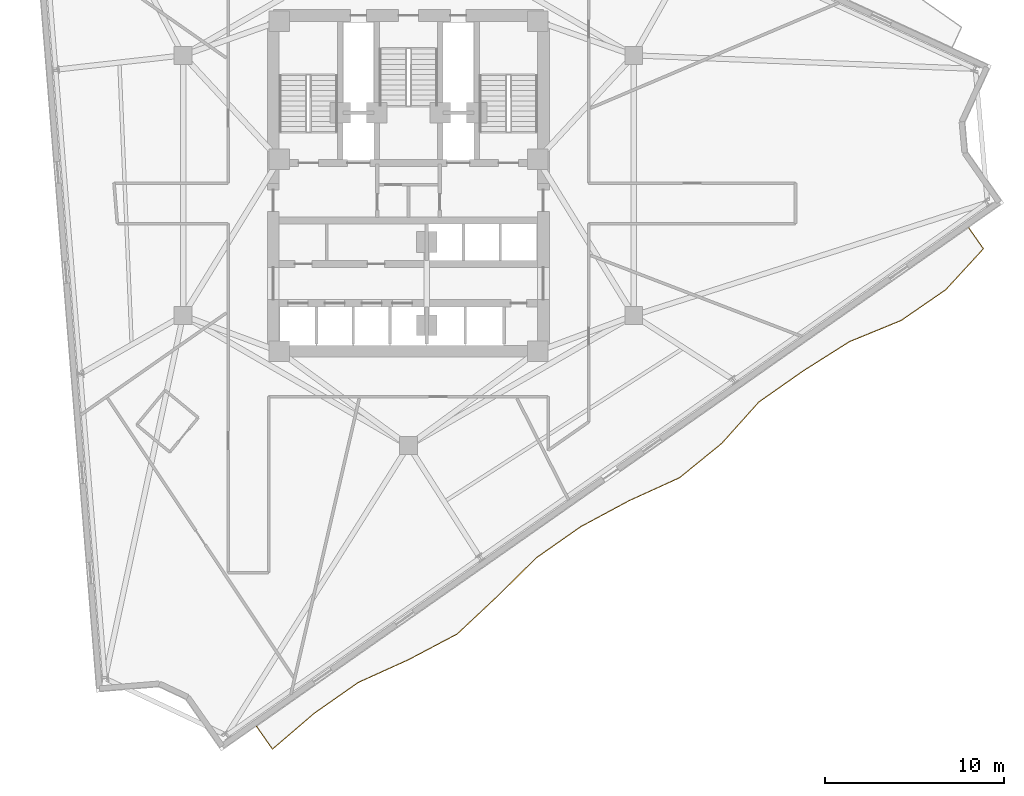
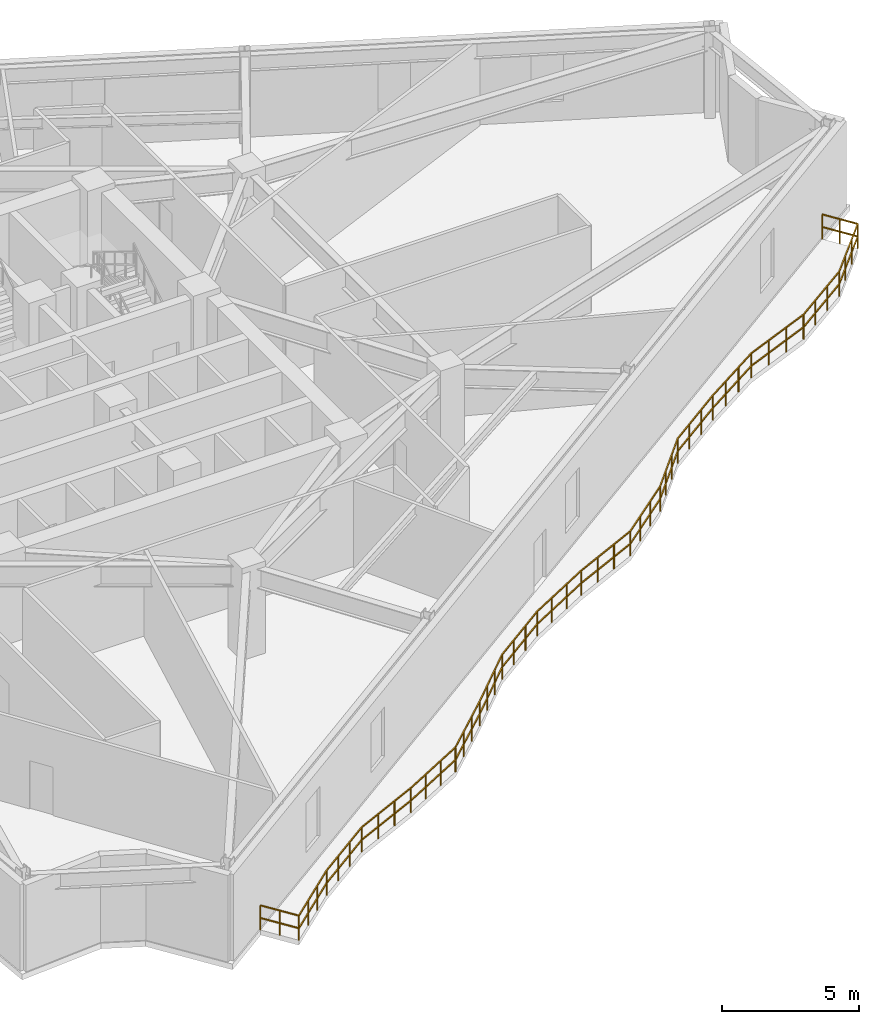
# One storey, part 8 of 10: 1 railing.
"""IFC4 building model written with IfcOpenShell, lengths in metres."""

from ifc_helpers import new_model, si_unit, direction, frame, origin, origin_2d, place, context, subcontext, project, spatial, rectangle, extrude, material, type_object, element, save


model = new_model("IFC4")

# Units and contexts
model_context = context("Model", 3, precision=1e-05, world=origin(), true_north=direction((0.0, 1.0)))
body_context = subcontext(model_context, "Body", "Model", "MODEL_VIEW")
ifc_project = project(units=[si_unit("LENGTHUNIT", "METRE"), si_unit("AREAUNIT", "SQUARE_METRE"), si_unit("VOLUMEUNIT", "CUBIC_METRE"), si_unit("PLANEANGLEUNIT", "RADIAN"), si_unit("MASSUNIT", "GRAM", prefix="KILO")], contexts=[model_context])

# Site, building, storey
site_placement = place(None, origin())
site = spatial("IfcSite", under=ifc_project, at=site_placement, CompositionType="ELEMENT")
building_placement = place(site_placement, origin())
building = spatial("IfcBuilding", under=site, at=building_placement, Name="Apsidion Concourse Tower", CompositionType="ELEMENT")
storey_placement = place(building_placement, frame((0.0, 0.0, 210.60009765625)))
storey = spatial("IfcBuildingStorey", under=building, at=storey_placement, Name="L49", CompositionType="ELEMENT", Elevation=210.60009765625)

# Railing
ifc_material = material(Name="Brushed stainless steel 316", Category="steel")
railing_type = type_object("IfcRailingType", Name="RL-BAL-1120", PredefinedType="BALUSTRADE", material=ifc_material)
railing_placement = place(storey_placement, frame((31.23095703125, -2.356689453125, 0.0)))
element("IfcRailing", 1, at=railing_placement, inside=storey, type_object=railing_type, Name="L49 Face 2 Rippling Balcony Balustrade", PredefinedType="BALUSTRADE", context=body_context, shape_type="SweptSolid", body=[
    extrude(rectangle(XDim=0.048095703125, YDim=0.048095703125, at=origin_2d()), frame((0.0, 0.0, 1.09619140625), z_axis=(0.573668215143, -0.819087772424, 0.0), x_axis=(0.819087772424, 0.573668215143, 0.0)), (0.0, 0.0, 1.0), 1.4326171875),
    extrude(rectangle(XDim=0.048095703125, YDim=0.048095703125, at=origin_2d()), frame((0.0, 0.0, 0.5361328125), z_axis=(0.573668215143, -0.819087772424, 0.0), x_axis=(0.819087772424, 0.573668215143, 0.0)), (0.0, 0.0, 1.0), 1.4326171875),
    extrude(rectangle(XDim=0.048095703125, YDim=0.048095703125, at=origin_2d()), frame((0.82177734375, -1.17333984375, 1.09619140625), z_axis=(-0.676643744553, -0.736310561487, 0.0), x_axis=(0.736310561487, -0.676643744553, 0.0)), (0.0, 0.0, 1.0), 3.1015625),
    extrude(rectangle(XDim=0.048095703125, YDim=0.048095703125, at=origin_2d()), frame((0.82177734375, -1.17333984375, 0.5361328125), z_axis=(-0.676643744553, -0.736310561487, 0.0), x_axis=(0.736310561487, -0.676643744553, 0.0)), (0.0, 0.0, 1.0), 3.1015625),
    extrude(rectangle(XDim=0.048095703125, YDim=0.048095703125, at=origin_2d()), frame((-1.27685546875, -3.45703125, 1.09619140625), z_axis=(-0.823484170875, -0.567339246235, 0.0), x_axis=(0.567339246235, -0.823484170875, 0.0)), (0.0, 0.0, 1.0), 3.029052734375),
    extrude(rectangle(XDim=0.048095703125, YDim=0.048095703125, at=origin_2d()), frame((-1.27685546875, -3.45703125, 0.5361328125), z_axis=(-0.823484170875, -0.567339246235, 0.0), x_axis=(0.567339246235, -0.823484170875, 0.0)), (0.0, 0.0, 1.0), 3.029052734375),
    extrude(rectangle(XDim=0.048095703125, YDim=0.048095703125, at=origin_2d()), frame((-3.771240234375, -5.175537109375, 1.09619140625), z_axis=(-0.925409128301, -0.378969583552, 0.0), x_axis=(0.378969583552, -0.925409128301, 0.0)), (0.0, 0.0, 1.0), 3.105224609375),
    extrude(rectangle(XDim=0.048095703125, YDim=0.048095703125, at=origin_2d()), frame((-3.771240234375, -5.175537109375, 0.5361328125), z_axis=(-0.925409128301, -0.378969583552, 0.0), x_axis=(0.378969583552, -0.925409128301, 0.0)), (0.0, 0.0, 1.0), 3.105224609375),
    extrude(rectangle(XDim=0.048095703125, YDim=0.048095703125, at=origin_2d()), frame((-6.644775390625, -6.352294921875, 1.09619140625), z_axis=(-0.845150098069, -0.534529056024, 0.0), x_axis=(0.534529056024, -0.845150098069, 0.0)), (0.0, 0.0, 1.0), 3.0322265625),
    extrude(rectangle(XDim=0.048095703125, YDim=0.048095703125, at=origin_2d()), frame((-6.644775390625, -6.352294921875, 0.5361328125), z_axis=(-0.845150098069, -0.534529056024, 0.0), x_axis=(0.534529056024, -0.845150098069, 0.0)), (0.0, 0.0, 1.0), 3.0322265625),
    extrude(rectangle(XDim=0.048095703125, YDim=0.048095703125, at=origin_2d()), frame((-9.20751953125, -7.97314453125, 1.09619140625), z_axis=(-0.819159967158, -0.573565121155, 0.0), x_axis=(0.573565121155, -0.819159967158, 0.0)), (0.0, 0.0, 1.0), 3.029052734375),
    extrude(rectangle(XDim=0.048095703125, YDim=0.048095703125, at=origin_2d()), frame((-9.20751953125, -7.97314453125, 0.5361328125), z_axis=(-0.819159967158, -0.573565121155, 0.0), x_axis=(0.573565121155, -0.819159967158, 0.0)), (0.0, 0.0, 1.0), 3.029052734375),
    extrude(rectangle(XDim=0.048095703125, YDim=0.048095703125, at=origin_2d()), frame((-11.688720703125, -9.71044921875, 1.09619140625), z_axis=(-0.66787963547, -0.744269301076, 0.0), x_axis=(0.744269301076, -0.66787963547, 0.0)), (0.0, 0.0, 1.0), 3.109619140625),
    extrude(rectangle(XDim=0.048095703125, YDim=0.048095703125, at=origin_2d()), frame((-11.688720703125, -9.71044921875, 0.5361328125), z_axis=(-0.66787963547, -0.744269301076, 0.0), x_axis=(0.744269301076, -0.66787963547, 0.0)), (0.0, 0.0, 1.0), 3.109619140625),
    extrude(rectangle(XDim=0.048095703125, YDim=0.048095703125, at=origin_2d()), frame((-13.765625, -12.02490234375, 1.09619140625), z_axis=(-0.775823734799, -0.630949706809, 0.0), x_axis=(0.630949706809, -0.775823734799, 0.0)), (0.0, 0.0, 1.0), 3.03662109375),
    extrude(rectangle(XDim=0.048095703125, YDim=0.048095703125, at=origin_2d()), frame((-13.765625, -12.02490234375, 0.5361328125), z_axis=(-0.775823734799, -0.630949706809, 0.0), x_axis=(0.630949706809, -0.775823734799, 0.0)), (0.0, 0.0, 1.0), 3.03662109375),
    extrude(rectangle(XDim=0.048095703125, YDim=0.048095703125, at=origin_2d()), frame((-16.12158203125, -13.94091796875, 1.09619140625), z_axis=(-0.910301337977, -0.413946221239, 0.0), x_axis=(0.413946221239, -0.910301337977, 0.0)), (0.0, 0.0, 1.0), 3.0810546875),
    extrude(rectangle(XDim=0.048095703125, YDim=0.048095703125, at=origin_2d()), frame((-16.12158203125, -13.94091796875, 0.5361328125), z_axis=(-0.910301337977, -0.413946221239, 0.0), x_axis=(0.413946221239, -0.910301337977, 0.0)), (0.0, 0.0, 1.0), 3.0810546875),
    extrude(rectangle(XDim=0.048095703125, YDim=0.048095703125, at=origin_2d()), frame((-18.92626953125, -15.21630859375, 1.09619140625), z_axis=(-0.880948704826, -0.47321177021, 0.0), x_axis=(0.47321177021, -0.880948704826, 0.0)), (0.0, 0.0, 1.0), 3.050048828125),
    extrude(rectangle(XDim=0.048095703125, YDim=0.048095703125, at=origin_2d()), frame((-18.92626953125, -15.21630859375, 0.5361328125), z_axis=(-0.880948704826, -0.47321177021, 0.0), x_axis=(0.47321177021, -0.880948704826, 0.0)), (0.0, 0.0, 1.0), 3.050048828125),
    extrude(rectangle(XDim=0.048095703125, YDim=0.048095703125, at=origin_2d()), frame((-21.61328125, -16.65966796875, 1.09619140625), z_axis=(-0.819133448272, -0.573602993299, 0.0), x_axis=(0.573602993299, -0.819133448272, 0.0)), (0.0, 0.0, 1.0), 3.02880859375),
    extrude(rectangle(XDim=0.048095703125, YDim=0.048095703125, at=origin_2d()), frame((-21.61328125, -16.65966796875, 0.5361328125), z_axis=(-0.819133448272, -0.573602993299, 0.0), x_axis=(0.573602993299, -0.819133448272, 0.0)), (0.0, 0.0, 1.0), 3.02880859375),
    extrude(rectangle(XDim=0.048095703125, YDim=0.048095703125, at=origin_2d()), frame((-24.09423828125, -18.39697265625, 1.09619140625), z_axis=(-0.711621859596, -0.702562686844, 0.0), x_axis=(0.702562686844, -0.711621859596, 0.0)), (0.0, 0.0, 1.0), 3.072265625),
    extrude(rectangle(XDim=0.048095703125, YDim=0.048095703125, at=origin_2d()), frame((-24.09423828125, -18.39697265625, 0.5361328125), z_axis=(-0.711621859596, -0.702562686844, 0.0), x_axis=(0.702562686844, -0.711621859596, 0.0)), (0.0, 0.0, 1.0), 3.072265625),
    extrude(rectangle(XDim=0.048095703125, YDim=0.048095703125, at=origin_2d()), frame((-26.280517578125, -20.555419921875, 1.09619140625), z_axis=(-0.72928586696, -0.684209123187, 0.0), x_axis=(0.684209123187, -0.72928586696, 0.0)), (0.0, 0.0, 1.0), 3.06005859375),
    extrude(rectangle(XDim=0.048095703125, YDim=0.048095703125, at=origin_2d()), frame((-26.280517578125, -20.555419921875, 0.5361328125), z_axis=(-0.72928586696, -0.684209123187, 0.0), x_axis=(0.684209123187, -0.72928586696, 0.0)), (0.0, 0.0, 1.0), 3.06005859375),
    extrude(rectangle(XDim=0.048095703125, YDim=0.048095703125, at=origin_2d()), frame((-28.51220703125, -22.649169921875, 1.09619140625), z_axis=(-0.884223298429, -0.467064405104, 0.0), x_axis=(0.467064405104, -0.884223298429, 0.0)), (0.0, 0.0, 1.0), 3.052734375),
    extrude(rectangle(XDim=0.048095703125, YDim=0.048095703125, at=origin_2d()), frame((-28.51220703125, -22.649169921875, 0.5361328125), z_axis=(-0.884223298429, -0.467064405104, 0.0), x_axis=(0.467064405104, -0.884223298429, 0.0)), (0.0, 0.0, 1.0), 3.052734375),
    extrude(rectangle(XDim=0.048095703125, YDim=0.048095703125, at=origin_2d()), frame((-31.21142578125, -24.074951171875, 1.09619140625), z_axis=(-0.910970467109, -0.412471584542, 0.0), x_axis=(0.412471584542, -0.910970467109, 0.0)), (0.0, 0.0, 1.0), 3.08203125),
    extrude(rectangle(XDim=0.048095703125, YDim=0.048095703125, at=origin_2d()), frame((-31.21142578125, -24.074951171875, 0.5361328125), z_axis=(-0.910970467109, -0.412471584542, 0.0), x_axis=(0.412471584542, -0.910970467109, 0.0)), (0.0, 0.0, 1.0), 3.08203125),
    extrude(rectangle(XDim=0.048095703125, YDim=0.048095703125, at=origin_2d()), frame((-34.01904296875, -25.34619140625, 1.09619140625), z_axis=(-0.819133448272, -0.573602993299, 0.0), x_axis=(0.573602993299, -0.819133448272, 0.0)), (0.0, 0.0, 1.0), 3.02880859375),
    extrude(rectangle(XDim=0.048095703125, YDim=0.048095703125, at=origin_2d()), frame((-34.01904296875, -25.34619140625, 0.5361328125), z_axis=(-0.819133448272, -0.573602993299, 0.0), x_axis=(0.573602993299, -0.819133448272, 0.0)), (0.0, 0.0, 1.0), 3.02880859375),
    extrude(rectangle(XDim=0.048095703125, YDim=0.048095703125, at=origin_2d()), frame((-36.5, -27.08349609375, 1.09619140625), z_axis=(-0.758656096287, -0.65149131043, 0.0), x_axis=(0.65149131043, -0.758656096287, 0.0)), (0.0, 0.0, 1.0), 3.043701171875),
    extrude(rectangle(XDim=0.048095703125, YDim=0.048095703125, at=origin_2d()), frame((-36.5, -27.08349609375, 0.5361328125), z_axis=(-0.758656096287, -0.65149131043, 0.0), x_axis=(0.65149131043, -0.758656096287, 0.0)), (0.0, 0.0, 1.0), 3.043701171875),
    extrude(rectangle(XDim=0.048095703125, YDim=0.048095703125, at=origin_2d()), frame((-38.80908203125, -29.06640625, 1.09619140625), z_axis=(-0.573673756316, 0.8190838915, 0.0), x_axis=(-0.8190838915, -0.573673756316, 0.0)), (0.0, 0.0, 1.0), 1.550048828125),
    extrude(rectangle(XDim=0.048095703125, YDim=0.048095703125, at=origin_2d()), frame((-38.80908203125, -29.06640625, 0.5361328125), z_axis=(-0.573673756316, 0.8190838915, 0.0), x_axis=(-0.8190838915, -0.573673756316, 0.0)), (0.0, 0.0, 1.0), 1.550048828125),
    extrude(rectangle(XDim=0.0419921875, YDim=0.0419921875, at=origin_2d()), origin(), (0.0, 0.0, 1.0), 1.072021484375),
    extrude(rectangle(XDim=0.0419921875, YDim=0.0419921875, at=origin_2d()), frame((0.410888671875, -0.586669921875, 0.0)), (0.0, 0.0, 1.0), 1.072021484375),
    extrude(rectangle(XDim=0.0419921875, YDim=0.0419921875, at=origin_2d()), frame((0.82177734375, -1.17333984375, 0.0)), (0.0, 0.0, 1.0), 1.072021484375),
    extrude(rectangle(XDim=0.0419921875, YDim=0.0419921875, at=origin_2d()), frame((0.122314453125, -1.9345703125, 0.0)), (0.0, 0.0, 1.0), 1.072021484375),
    extrude(rectangle(XDim=0.0419921875, YDim=0.0419921875, at=origin_2d()), frame((-0.577392578125, -2.69580078125, 0.0)), (0.0, 0.0, 1.0), 1.072021484375),
    extrude(rectangle(XDim=0.0419921875, YDim=0.0419921875, at=origin_2d()), frame((-1.27685546875, -3.45703125, 0.0)), (0.0, 0.0, 1.0), 1.072021484375),
    extrude(rectangle(XDim=0.0419921875, YDim=0.0419921875, at=origin_2d()), frame((-2.1083984375, -4.02978515625, 0.0)), (0.0, 0.0, 1.0), 1.072021484375),
    extrude(rectangle(XDim=0.0419921875, YDim=0.0419921875, at=origin_2d()), frame((-2.939697265625, -4.602783203125, 0.0)), (0.0, 0.0, 1.0), 1.072021484375),
    extrude(rectangle(XDim=0.0419921875, YDim=0.0419921875, at=origin_2d()), frame((-3.771240234375, -5.175537109375, 0.0)), (0.0, 0.0, 1.0), 1.072021484375),
    extrude(rectangle(XDim=0.0419921875, YDim=0.0419921875, at=origin_2d()), frame((-4.72900390625, -5.56787109375, 0.0)), (0.0, 0.0, 1.0), 1.072021484375),
    extrude(rectangle(XDim=0.0419921875, YDim=0.0419921875, at=origin_2d()), frame((-5.68701171875, -5.9599609375, 0.0)), (0.0, 0.0, 1.0), 1.072021484375),
    extrude(rectangle(XDim=0.0419921875, YDim=0.0419921875, at=origin_2d()), frame((-6.644775390625, -6.352294921875, 0.0)), (0.0, 0.0, 1.0), 1.072021484375),
    extrude(rectangle(XDim=0.0419921875, YDim=0.0419921875, at=origin_2d()), frame((-7.4990234375, -6.892578125, 0.0)), (0.0, 0.0, 1.0), 1.072021484375),
    extrude(rectangle(XDim=0.0419921875, YDim=0.0419921875, at=origin_2d()), frame((-8.353271484375, -7.432861328125, 0.0)), (0.0, 0.0, 1.0), 1.072021484375),
    extrude(rectangle(XDim=0.0419921875, YDim=0.0419921875, at=origin_2d()), frame((-9.20751953125, -7.97314453125, 0.0)), (0.0, 0.0, 1.0), 1.072021484375),
    extrude(rectangle(XDim=0.0419921875, YDim=0.0419921875, at=origin_2d()), frame((-10.03466796875, -8.55224609375, 0.0)), (0.0, 0.0, 1.0), 1.072021484375),
    extrude(rectangle(XDim=0.0419921875, YDim=0.0419921875, at=origin_2d()), frame((-10.861572265625, -9.13134765625, 0.0)), (0.0, 0.0, 1.0), 1.072021484375),
    extrude(rectangle(XDim=0.0419921875, YDim=0.0419921875, at=origin_2d()), frame((-11.688720703125, -9.71044921875, 0.0)), (0.0, 0.0, 1.0), 1.072021484375),
    extrude(rectangle(XDim=0.0419921875, YDim=0.0419921875, at=origin_2d()), frame((-12.381103515625, -10.48193359375, 0.0)), (0.0, 0.0, 1.0), 1.072021484375),
    extrude(rectangle(XDim=0.0419921875, YDim=0.0419921875, at=origin_2d()), frame((-13.0732421875, -11.25341796875, 0.0)), (0.0, 0.0, 1.0), 1.072021484375),
    extrude(rectangle(XDim=0.0419921875, YDim=0.0419921875, at=origin_2d()), frame((-13.765625, -12.02490234375, 0.0)), (0.0, 0.0, 1.0), 1.072021484375),
    extrude(rectangle(XDim=0.0419921875, YDim=0.0419921875, at=origin_2d()), frame((-14.551025390625, -12.66357421875, 0.0)), (0.0, 0.0, 1.0), 1.072021484375),
    extrude(rectangle(XDim=0.0419921875, YDim=0.0419921875, at=origin_2d()), frame((-15.336181640625, -13.30224609375, 0.0)), (0.0, 0.0, 1.0), 1.072021484375),
    extrude(rectangle(XDim=0.0419921875, YDim=0.0419921875, at=origin_2d()), frame((-16.12158203125, -13.94091796875, 0.0)), (0.0, 0.0, 1.0), 1.072021484375),
    extrude(rectangle(XDim=0.0419921875, YDim=0.0419921875, at=origin_2d()), frame((-17.056396484375, -14.365966796875, 0.0)), (0.0, 0.0, 1.0), 1.072021484375),
    extrude(rectangle(XDim=0.0419921875, YDim=0.0419921875, at=origin_2d()), frame((-17.991455078125, -14.791259765625, 0.0)), (0.0, 0.0, 1.0), 1.072021484375),
    extrude(rectangle(XDim=0.0419921875, YDim=0.0419921875, at=origin_2d()), frame((-18.92626953125, -15.21630859375, 0.0)), (0.0, 0.0, 1.0), 1.072021484375),
    extrude(rectangle(XDim=0.0419921875, YDim=0.0419921875, at=origin_2d()), frame((-19.822021484375, -15.697509765625, 0.0)), (0.0, 0.0, 1.0), 1.072021484375),
    extrude(rectangle(XDim=0.0419921875, YDim=0.0419921875, at=origin_2d()), frame((-20.717529296875, -16.178466796875, 0.0)), (0.0, 0.0, 1.0), 1.072021484375),
    extrude(rectangle(XDim=0.0419921875, YDim=0.0419921875, at=origin_2d()), frame((-21.61328125, -16.65966796875, 0.0)), (0.0, 0.0, 1.0), 1.072021484375),
    extrude(rectangle(XDim=0.0419921875, YDim=0.0419921875, at=origin_2d()), frame((-22.440185546875, -17.23876953125, 0.0)), (0.0, 0.0, 1.0), 1.072021484375),
    extrude(rectangle(XDim=0.0419921875, YDim=0.0419921875, at=origin_2d()), frame((-23.267333984375, -17.81787109375, 0.0)), (0.0, 0.0, 1.0), 1.072021484375),
    extrude(rectangle(XDim=0.0419921875, YDim=0.0419921875, at=origin_2d()), frame((-24.09423828125, -18.39697265625, 0.0)), (0.0, 0.0, 1.0), 1.072021484375),
    extrude(rectangle(XDim=0.0419921875, YDim=0.0419921875, at=origin_2d()), frame((-24.822998046875, -19.116455078125, 0.0)), (0.0, 0.0, 1.0), 1.072021484375),
    extrude(rectangle(XDim=0.0419921875, YDim=0.0419921875, at=origin_2d()), frame((-25.5517578125, -19.8359375, 0.0)), (0.0, 0.0, 1.0), 1.072021484375),
    extrude(rectangle(XDim=0.0419921875, YDim=0.0419921875, at=origin_2d()), frame((-26.280517578125, -20.555419921875, 0.0)), (0.0, 0.0, 1.0), 1.072021484375),
    extrude(rectangle(XDim=0.0419921875, YDim=0.0419921875, at=origin_2d()), frame((-27.0244140625, -21.25341796875, 0.0)), (0.0, 0.0, 1.0), 1.072021484375),
    extrude(rectangle(XDim=0.0419921875, YDim=0.0419921875, at=origin_2d()), frame((-27.768310546875, -21.951171875, 0.0)), (0.0, 0.0, 1.0), 1.072021484375),
    extrude(rectangle(XDim=0.0419921875, YDim=0.0419921875, at=origin_2d()), frame((-28.51220703125, -22.649169921875, 0.0)), (0.0, 0.0, 1.0), 1.072021484375),
    extrude(rectangle(XDim=0.0419921875, YDim=0.0419921875, at=origin_2d()), frame((-29.411865234375, -23.12451171875, 0.0)), (0.0, 0.0, 1.0), 1.072021484375),
    extrude(rectangle(XDim=0.0419921875, YDim=0.0419921875, at=origin_2d()), frame((-30.311767578125, -23.599609375, 0.0)), (0.0, 0.0, 1.0), 1.072021484375),
    extrude(rectangle(XDim=0.0419921875, YDim=0.0419921875, at=origin_2d()), frame((-31.21142578125, -24.074951171875, 0.0)), (0.0, 0.0, 1.0), 1.072021484375),
    extrude(rectangle(XDim=0.0419921875, YDim=0.0419921875, at=origin_2d()), frame((-32.147216796875, -24.498779296875, 0.0)), (0.0, 0.0, 1.0), 1.072021484375),
    extrude(rectangle(XDim=0.0419921875, YDim=0.0419921875, at=origin_2d()), frame((-33.083251953125, -24.92236328125, 0.0)), (0.0, 0.0, 1.0), 1.072021484375),
    extrude(rectangle(XDim=0.0419921875, YDim=0.0419921875, at=origin_2d()), frame((-34.01904296875, -25.34619140625, 0.0)), (0.0, 0.0, 1.0), 1.072021484375),
    extrude(rectangle(XDim=0.0419921875, YDim=0.0419921875, at=origin_2d()), frame((-34.845947265625, -25.92529296875, 0.0)), (0.0, 0.0, 1.0), 1.072021484375),
    extrude(rectangle(XDim=0.0419921875, YDim=0.0419921875, at=origin_2d()), frame((-35.673095703125, -26.50439453125, 0.0)), (0.0, 0.0, 1.0), 1.072021484375),
    extrude(rectangle(XDim=0.0419921875, YDim=0.0419921875, at=origin_2d()), frame((-36.5, -27.08349609375, 0.0)), (0.0, 0.0, 1.0), 1.072021484375),
    extrude(rectangle(XDim=0.0419921875, YDim=0.0419921875, at=origin_2d()), frame((-37.269775390625, -27.744384765625, 0.0)), (0.0, 0.0, 1.0), 1.072021484375),
    extrude(rectangle(XDim=0.0419921875, YDim=0.0419921875, at=origin_2d()), frame((-38.039306640625, -28.405517578125, 0.0)), (0.0, 0.0, 1.0), 1.072021484375),
    extrude(rectangle(XDim=0.0419921875, YDim=0.0419921875, at=origin_2d()), frame((-38.80908203125, -29.06640625, 0.0)), (0.0, 0.0, 1.0), 1.072021484375),
    extrude(rectangle(XDim=0.0419921875, YDim=0.0419921875, at=origin_2d()), frame((-39.253662109375, -28.431640625, 0.0)), (0.0, 0.0, 1.0), 1.072021484375),
    extrude(rectangle(XDim=0.0419921875, YDim=0.0419921875, at=origin_2d()), frame((-39.6982421875, -27.796875, 0.0)), (0.0, 0.0, 1.0), 1.072021484375),
])

save(model, "model.ifc")
